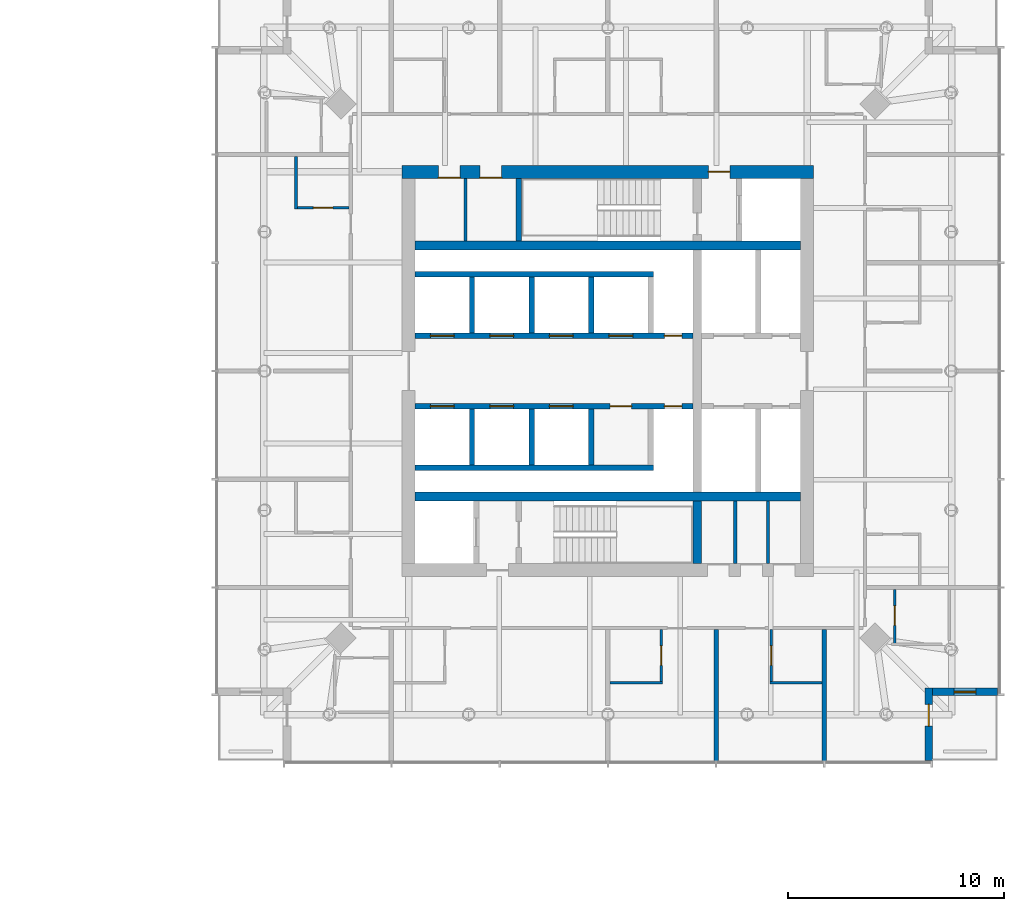
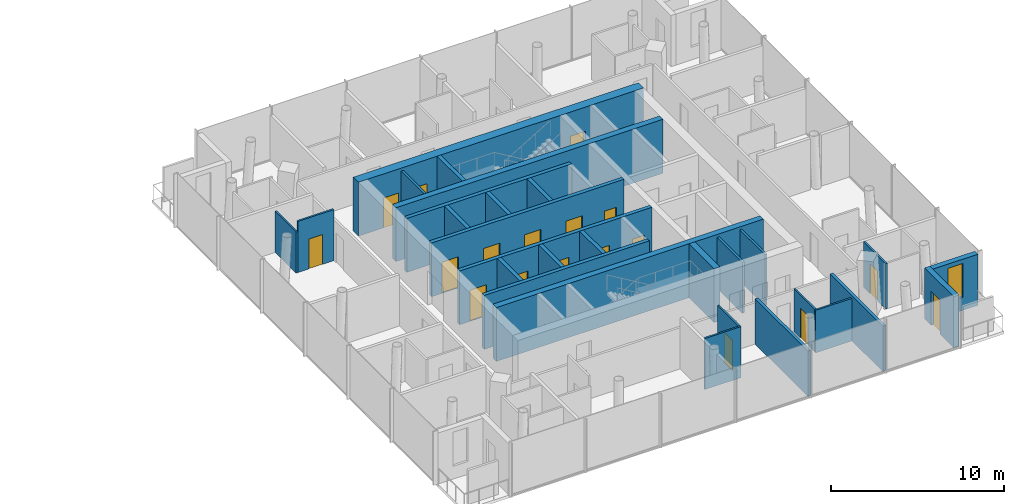
# One storey, part 13 of 18: 29 walls, 18 doors, 1 window, 19 openings.
"""IFC4 building model written with IfcOpenShell, lengths in metres."""

from ifc_helpers import new_model, si_unit, direction, frame, frame_2d, origin, place, context, subcontext, project, spatial, rectangle, extrude, material, layer, layer_set, type_object, element, fill, save


model = new_model("IFC4")

# Units and contexts
model_context = context("Model", 3, precision=1e-05, world=origin(), true_north=direction((0.0, 1.0)))
body_context = subcontext(model_context, "Body", "Model", "MODEL_VIEW")
ifc_project = project(units=[si_unit("LENGTHUNIT", "METRE"), si_unit("AREAUNIT", "SQUARE_METRE"), si_unit("VOLUMEUNIT", "CUBIC_METRE"), si_unit("PLANEANGLEUNIT", "RADIAN"), si_unit("MASSUNIT", "GRAM", prefix="KILO")], contexts=[model_context])

# Site, building, storey
site_placement = place(None, origin())
site = spatial("IfcSite", under=ifc_project, at=site_placement, CompositionType="ELEMENT")
building_placement = place(site_placement, origin())
building = spatial("IfcBuilding", under=site, at=building_placement, Name="Ostroluk Exchange", CompositionType="ELEMENT")
storey_placement = place(building_placement, frame((0.0, 0.0, 93.199951171875)))
storey = spatial("IfcBuildingStorey", under=building, at=storey_placement, Name="L23", CompositionType="ELEMENT", Elevation=93.199951171875)

# Walls
ifc_material_1 = material(Name="Concrete blockwork", Category="masonry")
ifc_layer_1 = layer(ifc_material_1, 0.14990234375)
ifc_layer_set_1 = layer_set([ifc_layer_1], Name="Blockwork plant room wall 150")
wall_type_1 = type_object("IfcWallType", Name="Blockwork plant room wall 150", PredefinedType="SOLIDWALL", material=ifc_layer_set_1)
for number, where, z_axis, x_axis, name in (
    (1, (122.8837890625, 37.10009765625, 0.0), (0.0, 0.0, 1.0), (0.0, 1.0, 0.0), "Core room wall"),
    (2, (124.391845703125, 37.10009765625, 0.0), (0.0, 0.0, 1.0), (0.0, 1.0, 0.0), "Core room wall"),
    (3, (110.425048828125, 52.0, 0.0), (0.0, 0.0, 1.0), (0.0, 1.0, 0.0), "Core room wall"),
):
    element("IfcWall", number, at=place(storey_placement, frame(where, z_axis=z_axis, x_axis=x_axis)), inside=storey, type_object=wall_type_1, Name=name, PredefinedType="SOLIDWALL", context=body_context, shape_type="SweptSolid", body=[
        extrude(rectangle(XDim=2.89990234375, YDim=0.14990234375, at=frame_2d((1.449951171875, 0.0))), origin(), (0.0, 0.0, 1.0), 3.60009765625),
    ])
ifc_material_2 = material(Name="Concrete C50/60", Category="concrete")
ifc_layer_2 = layer(ifc_material_2, 0.39990234375)
ifc_layer_set_2 = layer_set([ifc_layer_2], Name="Core cross wall 400 C50/60")
wall_type_2 = type_object("IfcWallType", Name="Core cross wall 400 C50/60", PredefinedType="SHEAR", material=ifc_layer_set_2)
for number, where, z_axis, x_axis, name in (
    (4, (108.10009765625, 40.199951171875, 0.0), (0.0, 0.0, 1.0), (1.0, 0.0, 0.0), "T2 core wall XS"),
    (5, (108.10009765625, 51.800048828125, 0.0), (0.0, 0.0, 1.0), (1.0, 0.0, 0.0), "T2 core wall XN"),
):
    element("IfcWall", number, at=place(storey_placement, frame(where, z_axis=z_axis, x_axis=x_axis)), inside=storey, type_object=wall_type_2, Name=name, PredefinedType="SHEAR", context=body_context, shape_type="SweptSolid", body=[
        extrude(rectangle(XDim=17.7998046875, YDim=0.39990234375, at=frame_2d((8.89990234375, 0.0))), origin(), (0.0, 0.0, 1.0), 3.800048828125),
    ])
wall_1_placement = place(storey_placement, frame((121.1298828125, 37.10009765625, 0.0), z_axis=(0.0, 0.0, 1.0), x_axis=(0.0, 1.0, 0.0)))
element("IfcWall", 6, at=wall_1_placement, inside=storey, type_object=wall_type_2, Name="T2 core wall YE1", PredefinedType="SHEAR", context=body_context, shape_type="SweptSolid", body=[
    extrude(rectangle(XDim=2.89990234375, YDim=0.39990234375, at=frame_2d((1.449951171875, 0.0))), origin(), (0.0, 0.0, 1.0), 3.800048828125),
])
ifc_material_3 = material(Name="Concrete C40/50", Category="concrete")
ifc_layer_3 = layer(ifc_material_3, 0.25)
ifc_layer_set_3 = layer_set([ifc_layer_3], Name="Core shaft wall 250")
wall_type_3 = type_object("IfcWallType", Name="Core shaft wall 250", PredefinedType="SHEAR", material=ifc_layer_set_3)
wall_2_placement = place(storey_placement, frame((112.875, 52.0, 0.0), z_axis=(0.0, 0.0, 1.0), x_axis=(0.0, 1.0, 0.0)))
element("IfcWall", 7, at=wall_2_placement, inside=storey, type_object=wall_type_3, Name="Stair shaft wall", PredefinedType="SHEAR", context=body_context, shape_type="SweptSolid", body=[
    extrude(rectangle(XDim=2.89990234375, YDim=0.25, at=frame_2d((1.449951171875, 0.0))), origin(), (0.0, 0.0, 1.0), 3.800048828125),
])
for number, where, z_axis, x_axis, name in (
    (8, (110.72509765625, 47.75, 0.0), (0.0, 0.0, 1.0), (0.0, 1.0, 0.0), "Lift shaft wall"),
    (9, (113.47509765625, 47.75, 0.0), (0.0, 0.0, 1.0), (0.0, 1.0, 0.0), "Lift shaft wall"),
    (10, (116.22509765625, 47.75, 0.0), (0.0, 0.0, 1.0), (0.0, 1.0, 0.0), "Lift shaft wall"),
):
    element("IfcWall", number, at=place(storey_placement, frame(where, z_axis=z_axis, x_axis=x_axis)), inside=storey, type_object=wall_type_3, Name=name, PredefinedType="SHEAR", context=body_context, shape_type="SweptSolid", body=[
        extrude(rectangle(XDim=2.60009765625, YDim=0.25, at=frame_2d((1.300048828125, 0.0))), origin(), (0.0, 0.0, 1.0), 3.800048828125),
    ])
wall_3_placement = place(storey_placement, frame((108.10009765625, 50.47509765625, 0.0), z_axis=(0.0, 0.0, 1.0), x_axis=(1.0, 0.0, 0.0)))
element("IfcWall", 11, at=wall_3_placement, inside=storey, type_object=wall_type_3, Name="Lift shaft wall", PredefinedType="SHEAR", context=body_context, shape_type="SweptSolid", body=[
    extrude(rectangle(XDim=11.0, YDim=0.25, at=frame_2d((5.5, 0.0))), origin(), (0.0, 0.0, 1.0), 3.800048828125),
])

# Wall, openings, doors
wall_4_placement = place(storey_placement, frame((108.10009765625, 47.625, 0.0), z_axis=(0.0, 0.0, 1.0), x_axis=(1.0, 0.0, 0.0)))
wall_4 = element("IfcWall", 12, at=wall_4_placement, inside=storey, type_object=wall_type_3, Name="Lift shaft front wall", PredefinedType="SHEAR", context=body_context, shape_type="SweptSolid", body=[
    extrude(rectangle(XDim=12.829833984375, YDim=0.25, at=frame_2d((6.4150390625, 0.0))), origin(), (0.0, 0.0, 1.0), 3.800048828125),
])
opening_1_placement = place(wall_4_placement, frame((0.699951171875, 0.0, 0.0)))
opening_1 = element("IfcOpeningElement", 13, at=opening_1_placement, cuts=wall_4, Name="Opening LD", PredefinedType="OPENING", context=body_context, shape_type="SweptSolid", body=[
    extrude(rectangle(XDim=1.10009765625, YDim=2.199951171875, at=frame_2d((0.550048828125, 1.10009765625))), frame((0.0, 0.135009765625, 0.0), z_axis=(0.0, -1.0, 0.0), x_axis=(1.0, 0.0, 0.0)), (0.0, 0.0, 1.0), 0.27001953125),
])
opening_2_placement = place(wall_4_placement, frame((3.449951171875, 0.0, 0.0)))
opening_2 = element("IfcOpeningElement", 14, at=opening_2_placement, cuts=wall_4, Name="Opening LD", PredefinedType="OPENING", context=body_context, shape_type="SweptSolid", body=[
    extrude(rectangle(XDim=1.10009765625, YDim=2.199951171875, at=frame_2d((0.550048828125, 1.10009765625))), frame((0.0, 0.135009765625, 0.0), z_axis=(0.0, -1.0, 0.0), x_axis=(1.0, 0.0, 0.0)), (0.0, 0.0, 1.0), 0.27001953125),
])
opening_3_placement = place(wall_4_placement, frame((6.199951171875, 0.0, 0.0)))
opening_3 = element("IfcOpeningElement", 15, at=opening_3_placement, cuts=wall_4, Name="Opening LD", PredefinedType="OPENING", context=body_context, shape_type="SweptSolid", body=[
    extrude(rectangle(XDim=1.10009765625, YDim=2.199951171875, at=frame_2d((0.550048828125, 1.10009765625))), frame((0.0, 0.135009765625, 0.0), z_axis=(0.0, -1.0, 0.0), x_axis=(1.0, 0.0, 0.0)), (0.0, 0.0, 1.0), 0.27001953125),
])
opening_4_placement = place(wall_4_placement, frame((8.949951171875, 0.0, 0.0)))
opening_4 = element("IfcOpeningElement", 16, at=opening_4_placement, cuts=wall_4, Name="Opening LD", PredefinedType="OPENING", context=body_context, shape_type="SweptSolid", body=[
    extrude(rectangle(XDim=1.10009765625, YDim=2.199951171875, at=frame_2d((0.550048828125, 1.10009765625))), frame((0.0, 0.135009765625, 0.0), z_axis=(0.0, -1.0, 0.0), x_axis=(1.0, 0.0, 0.0)), (0.0, 0.0, 1.0), 0.27001953125),
])
opening_5_placement = place(wall_4_placement, frame((11.514892578125, 0.0, 0.0)))
opening_5 = element("IfcOpeningElement", 17, at=opening_5_placement, cuts=wall_4, Name="Opening RD60", PredefinedType="OPENING", context=body_context, shape_type="SweptSolid", body=[
    extrude(rectangle(XDim=0.800048828125, YDim=2.0, at=frame_2d((0.39990234375, 1.0))), frame((0.0, 0.135009765625, 0.0), z_axis=(0.0, -1.0, 0.0), x_axis=(1.0, 0.0, 0.0)), (0.0, 0.0, 1.0), 0.27001953125),
])
ifc_material_4 = material(Name="Stainless steel", Category="steel")
door_type_1 = type_object("IfcDoorType", Name="Lift landing door E 60 1100 x 2200", OperationType="DOUBLE_DOOR_SLIDING", PredefinedType="DOOR", material=ifc_material_4)
door_1_placement = place(opening_1_placement, origin())
door_1 = element("IfcDoor", 18, at=door_1_placement, inside=storey, type_object=door_type_1, Name="Lift HL1 landing door", OperationType="DOUBLE_DOOR_SLIDING", OverallHeight=2.199951171875, OverallWidth=1.10009765625, PredefinedType="DOOR", context=body_context, shape_type="SweptSolid", body=[
    extrude(rectangle(XDim=1.10009765625, YDim=2.199951171875, at=frame_2d((0.550048828125, 1.10009765625))), frame((0.0, 0.02490234375, 0.0), z_axis=(0.0, -1.0, 0.0), x_axis=(1.0, 0.0, 0.0)), (0.0, 0.0, 1.0), 0.050048828125),
])
fill(opening_1, door_1)
door_2_placement = place(opening_2_placement, origin())
door_2 = element("IfcDoor", 19, at=door_2_placement, inside=storey, type_object=door_type_1, Name="Lift HL2 landing door", OperationType="DOUBLE_DOOR_SLIDING", OverallHeight=2.199951171875, OverallWidth=1.10009765625, PredefinedType="DOOR", context=body_context, shape_type="SweptSolid", body=[
    extrude(rectangle(XDim=1.10009765625, YDim=2.199951171875, at=frame_2d((0.550048828125, 1.10009765625))), frame((0.0, 0.02490234375, 0.0), z_axis=(0.0, -1.0, 0.0), x_axis=(1.0, 0.0, 0.0)), (0.0, 0.0, 1.0), 0.050048828125),
])
fill(opening_2, door_2)
door_3_placement = place(opening_3_placement, origin())
door_3 = element("IfcDoor", 20, at=door_3_placement, inside=storey, type_object=door_type_1, Name="Lift HL3 landing door", OperationType="DOUBLE_DOOR_SLIDING", OverallHeight=2.199951171875, OverallWidth=1.10009765625, PredefinedType="DOOR", context=body_context, shape_type="SweptSolid", body=[
    extrude(rectangle(XDim=1.10009765625, YDim=2.199951171875, at=frame_2d((0.550048828125, 1.10009765625))), frame((0.0, 0.02490234375, 0.0), z_axis=(0.0, -1.0, 0.0), x_axis=(1.0, 0.0, 0.0)), (0.0, 0.0, 1.0), 0.050048828125),
])
fill(opening_3, door_3)
door_4_placement = place(opening_4_placement, origin())
door_4 = element("IfcDoor", 21, at=door_4_placement, inside=storey, type_object=door_type_1, Name="Lift HL4 landing door", OperationType="DOUBLE_DOOR_SLIDING", OverallHeight=2.199951171875, OverallWidth=1.10009765625, PredefinedType="DOOR", context=body_context, shape_type="SweptSolid", body=[
    extrude(rectangle(XDim=1.10009765625, YDim=2.199951171875, at=frame_2d((0.550048828125, 1.10009765625))), frame((0.0, 0.02490234375, 0.0), z_axis=(0.0, -1.0, 0.0), x_axis=(1.0, 0.0, 0.0)), (0.0, 0.0, 1.0), 0.050048828125),
])
fill(opening_4, door_4)
ifc_material_5 = material(Name="Steel", Category="steel")
door_type_2 = type_object("IfcDoorType", Name="Riser access door EI 60 800 x 2000", OperationType="SINGLE_SWING_LEFT", PredefinedType="DOOR", material=ifc_material_5)
door_5_placement = place(opening_5_placement, origin())
door_5 = element("IfcDoor", 22, at=door_5_placement, inside=storey, type_object=door_type_2, Name="Riser access door", OperationType="SINGLE_SWING_RIGHT", OverallHeight=2.0, OverallWidth=0.800048828125, PredefinedType="DOOR", context=body_context, shape_type="SweptSolid", body=[
    extrude(rectangle(XDim=0.800048828125, YDim=2.0, at=frame_2d((0.39990234375, 1.0))), frame((0.0, 0.02490234375, 0.0), z_axis=(0.0, -1.0, 0.0), x_axis=(1.0, 0.0, 0.0)), (0.0, 0.0, 1.0), 0.050048828125),
])
fill(opening_5, door_5)

# Walls
for number, where, z_axis, x_axis, name in (
    (23, (110.72509765625, 44.25, 0.0), (0.0, 0.0, 1.0), (0.0, -1.0, 0.0), "Lift shaft wall"),
    (24, (113.47509765625, 44.25, 0.0), (0.0, 0.0, 1.0), (0.0, -1.0, 0.0), "Lift shaft wall"),
    (25, (116.22509765625, 44.25, 0.0), (0.0, 0.0, 1.0), (0.0, -1.0, 0.0), "Lift shaft wall"),
):
    element("IfcWall", number, at=place(storey_placement, frame(where, z_axis=z_axis, x_axis=x_axis)), inside=storey, type_object=wall_type_3, Name=name, PredefinedType="SHEAR", context=body_context, shape_type="SweptSolid", body=[
        extrude(rectangle(XDim=2.60009765625, YDim=0.25, at=frame_2d((1.300048828125, 0.0))), origin(), (0.0, 0.0, 1.0), 3.800048828125),
    ])
wall_5_placement = place(storey_placement, frame((108.10009765625, 41.52490234375, 0.0), z_axis=(0.0, 0.0, 1.0), x_axis=(1.0, 0.0, 0.0)))
element("IfcWall", 26, at=wall_5_placement, inside=storey, type_object=wall_type_3, Name="Lift shaft wall", PredefinedType="SHEAR", context=body_context, shape_type="SweptSolid", body=[
    extrude(rectangle(XDim=11.0, YDim=0.25, at=frame_2d((5.5, 0.0))), origin(), (0.0, 0.0, 1.0), 3.800048828125),
])

# Wall, openings, doors
wall_6_placement = place(storey_placement, frame((108.10009765625, 44.375, 0.0), z_axis=(0.0, 0.0, 1.0), x_axis=(1.0, 0.0, 0.0)))
wall_6 = element("IfcWall", 27, at=wall_6_placement, inside=storey, type_object=wall_type_3, Name="Lift shaft front wall", PredefinedType="SHEAR", context=body_context, shape_type="SweptSolid", body=[
    extrude(rectangle(XDim=12.829833984375, YDim=0.25, at=frame_2d((6.4150390625, 0.0))), origin(), (0.0, 0.0, 1.0), 3.800048828125),
])
opening_6_placement = place(wall_6_placement, frame((0.699951171875, 0.0, 0.0)))
opening_6 = element("IfcOpeningElement", 28, at=opening_6_placement, cuts=wall_6, Name="Opening LD", PredefinedType="OPENING", context=body_context, shape_type="SweptSolid", body=[
    extrude(rectangle(XDim=1.10009765625, YDim=2.199951171875, at=frame_2d((0.550048828125, 1.10009765625))), frame((0.0, 0.135009765625, 0.0), z_axis=(0.0, -1.0, 0.0), x_axis=(1.0, 0.0, 0.0)), (0.0, 0.0, 1.0), 0.27001953125),
])
opening_7_placement = place(wall_6_placement, frame((3.449951171875, 0.0, 0.0)))
opening_7 = element("IfcOpeningElement", 29, at=opening_7_placement, cuts=wall_6, Name="Opening LD", PredefinedType="OPENING", context=body_context, shape_type="SweptSolid", body=[
    extrude(rectangle(XDim=1.10009765625, YDim=2.199951171875, at=frame_2d((0.550048828125, 1.10009765625))), frame((0.0, 0.135009765625, 0.0), z_axis=(0.0, -1.0, 0.0), x_axis=(1.0, 0.0, 0.0)), (0.0, 0.0, 1.0), 0.27001953125),
])
opening_8_placement = place(wall_6_placement, frame((6.199951171875, 0.0, 0.0)))
opening_8 = element("IfcOpeningElement", 30, at=opening_8_placement, cuts=wall_6, Name="Opening LD", PredefinedType="OPENING", context=body_context, shape_type="SweptSolid", body=[
    extrude(rectangle(XDim=1.10009765625, YDim=2.199951171875, at=frame_2d((0.550048828125, 1.10009765625))), frame((0.0, 0.135009765625, 0.0), z_axis=(0.0, -1.0, 0.0), x_axis=(1.0, 0.0, 0.0)), (0.0, 0.0, 1.0), 0.27001953125),
])
opening_9_placement = place(wall_6_placement, frame((9.0, 0.0, 0.0)))
opening_9 = element("IfcOpeningElement", 31, at=opening_9_placement, cuts=wall_6, Name="Opening FD60", PredefinedType="OPENING", context=body_context, shape_type="SweptSolid", body=[
    extrude(rectangle(XDim=1.0, YDim=2.10009765625, at=frame_2d((0.5, 1.050048828125))), frame((0.0, 0.135009765625, 0.0), z_axis=(0.0, -1.0, 0.0), x_axis=(1.0, 0.0, 0.0)), (0.0, 0.0, 1.0), 0.27001953125),
])
opening_10_placement = place(wall_6_placement, frame((11.514892578125, 0.0, 0.0)))
opening_10 = element("IfcOpeningElement", 32, at=opening_10_placement, cuts=wall_6, Name="Opening RD60", PredefinedType="OPENING", context=body_context, shape_type="SweptSolid", body=[
    extrude(rectangle(XDim=0.800048828125, YDim=2.0, at=frame_2d((0.39990234375, 1.0))), frame((0.0, 0.135009765625, 0.0), z_axis=(0.0, -1.0, 0.0), x_axis=(1.0, 0.0, 0.0)), (0.0, 0.0, 1.0), 0.27001953125),
])
ifc_material_6 = material(Name="Steel", Category="steel")
door_type_3 = type_object("IfcDoorType", Name="Fire door EI 60 1000 x 2100", OperationType="SINGLE_SWING_LEFT", PredefinedType="DOOR", material=ifc_material_6)
door_6_placement = place(opening_9_placement, origin())
door_6 = element("IfcDoor", 33, at=door_6_placement, inside=storey, type_object=door_type_3, Name="Core room door", OperationType="SINGLE_SWING_RIGHT", OverallHeight=2.10009765625, OverallWidth=1.0, PredefinedType="DOOR", context=body_context, shape_type="SweptSolid", body=[
    extrude(rectangle(XDim=1.0, YDim=2.10009765625, at=frame_2d((0.5, 1.050048828125))), frame((0.0, 0.02490234375, 0.0), z_axis=(0.0, -1.0, 0.0), x_axis=(1.0, 0.0, 0.0)), (0.0, 0.0, 1.0), 0.050048828125),
])
fill(opening_9, door_6)
door_7_placement = place(opening_6_placement, origin())
door_7 = element("IfcDoor", 34, at=door_7_placement, inside=storey, type_object=door_type_1, Name="Lift HL5 landing door", OperationType="DOUBLE_DOOR_SLIDING", OverallHeight=2.199951171875, OverallWidth=1.10009765625, PredefinedType="DOOR", context=body_context, shape_type="SweptSolid", body=[
    extrude(rectangle(XDim=1.10009765625, YDim=2.199951171875, at=frame_2d((0.550048828125, 1.10009765625))), frame((0.0, 0.02490234375, 0.0), z_axis=(0.0, -1.0, 0.0), x_axis=(1.0, 0.0, 0.0)), (0.0, 0.0, 1.0), 0.050048828125),
])
fill(opening_6, door_7)
door_8_placement = place(opening_7_placement, origin())
door_8 = element("IfcDoor", 35, at=door_8_placement, inside=storey, type_object=door_type_1, Name="Lift HL6 landing door", OperationType="DOUBLE_DOOR_SLIDING", OverallHeight=2.199951171875, OverallWidth=1.10009765625, PredefinedType="DOOR", context=body_context, shape_type="SweptSolid", body=[
    extrude(rectangle(XDim=1.10009765625, YDim=2.199951171875, at=frame_2d((0.550048828125, 1.10009765625))), frame((0.0, 0.02490234375, 0.0), z_axis=(0.0, -1.0, 0.0), x_axis=(1.0, 0.0, 0.0)), (0.0, 0.0, 1.0), 0.050048828125),
])
fill(opening_7, door_8)
door_9_placement = place(opening_8_placement, origin())
door_9 = element("IfcDoor", 36, at=door_9_placement, inside=storey, type_object=door_type_1, Name="Lift HL7 landing door", OperationType="DOUBLE_DOOR_SLIDING", OverallHeight=2.199951171875, OverallWidth=1.10009765625, PredefinedType="DOOR", context=body_context, shape_type="SweptSolid", body=[
    extrude(rectangle(XDim=1.10009765625, YDim=2.199951171875, at=frame_2d((0.550048828125, 1.10009765625))), frame((0.0, 0.02490234375, 0.0), z_axis=(0.0, -1.0, 0.0), x_axis=(1.0, 0.0, 0.0)), (0.0, 0.0, 1.0), 0.050048828125),
])
fill(opening_8, door_9)
door_10_placement = place(opening_10_placement, origin())
door_10 = element("IfcDoor", 37, at=door_10_placement, inside=storey, type_object=door_type_2, Name="Riser access door", OperationType="SINGLE_SWING_RIGHT", OverallHeight=2.0, OverallWidth=0.800048828125, PredefinedType="DOOR", context=body_context, shape_type="SweptSolid", body=[
    extrude(rectangle(XDim=0.800048828125, YDim=2.0, at=frame_2d((0.39990234375, 1.0))), frame((0.0, 0.02490234375, 0.0), z_axis=(0.0, -1.0, 0.0), x_axis=(1.0, 0.0, 0.0)), (0.0, 0.0, 1.0), 0.050048828125),
])
fill(opening_10, door_10)

ifc_material_7 = material(Name="Concrete C50/60", Category="concrete")
ifc_layer_4 = layer(ifc_material_7, 0.60009765625)
ifc_layer_set_4 = layer_set([ifc_layer_4], Name="Core wall 600 C50/60")
wall_type_4 = type_object("IfcWallType", Name="Core wall 600 C50/60", PredefinedType="SHEAR", material=ifc_layer_set_4)
wall_7_placement = place(storey_placement, frame((107.5, 55.199951171875, 0.0), z_axis=(0.0, 0.0, 1.0), x_axis=(1.0, 0.0, 0.0)))
wall_7 = element("IfcWall", 38, at=wall_7_placement, inside=storey, type_object=wall_type_4, Name="T2 core wall N", PredefinedType="SHEAR", context=body_context, shape_type="SweptSolid", body=[
    extrude(rectangle(XDim=19.0, YDim=0.60009765625, at=frame_2d((9.5, 0.0))), origin(), (0.0, 0.0, 1.0), 3.800048828125),
])
opening_11_placement = place(wall_7_placement, frame((14.139892578125, 0.0, 0.0)))
opening_11 = element("IfcOpeningElement", 39, at=opening_11_placement, cuts=wall_7, Name="Opening FD60", PredefinedType="OPENING", context=body_context, shape_type="SweptSolid", body=[
    extrude(rectangle(XDim=1.0, YDim=2.10009765625, at=frame_2d((0.5, 1.050048828125))), frame((0.0, 0.31005859375, 0.0), z_axis=(0.0, -1.0, 0.0), x_axis=(1.0, 0.0, 0.0)), (0.0, 0.0, 1.0), 0.6201171875),
])
opening_12_placement = place(wall_7_placement, frame((1.675048828125, 0.0, 0.0)))
opening_12 = element("IfcOpeningElement", 40, at=opening_12_placement, cuts=wall_7, Name="Opening FD60", PredefinedType="OPENING", context=body_context, shape_type="SweptSolid", body=[
    extrude(rectangle(XDim=1.0, YDim=2.10009765625, at=frame_2d((0.5, 1.050048828125))), frame((0.0, 0.31005859375, 0.0), z_axis=(0.0, -1.0, 0.0), x_axis=(1.0, 0.0, 0.0)), (0.0, 0.0, 1.0), 0.6201171875),
])
opening_13_placement = place(wall_7_placement, frame((3.58740234375, 0.0, 0.0)))
opening_13 = element("IfcOpeningElement", 41, at=opening_13_placement, cuts=wall_7, Name="Opening FD60", PredefinedType="OPENING", context=body_context, shape_type="SweptSolid", body=[
    extrude(rectangle(XDim=1.0, YDim=2.10009765625, at=frame_2d((0.5, 1.050048828125))), frame((0.0, 0.31005859375, 0.0), z_axis=(0.0, -1.0, 0.0), x_axis=(1.0, 0.0, 0.0)), (0.0, 0.0, 1.0), 0.6201171875),
])
door_11_placement = place(opening_11_placement, origin())
door_11 = element("IfcDoor", 42, at=door_11_placement, inside=storey, type_object=door_type_3, Name="Firefighting lobby door", OperationType="SINGLE_SWING_RIGHT", OverallHeight=2.10009765625, OverallWidth=1.0, PredefinedType="DOOR", context=body_context, shape_type="SweptSolid", body=[
    extrude(rectangle(XDim=1.0, YDim=2.10009765625, at=frame_2d((0.5, 1.050048828125))), frame((0.0, 0.02490234375, 0.0), z_axis=(0.0, -1.0, 0.0), x_axis=(1.0, 0.0, 0.0)), (0.0, 0.0, 1.0), 0.050048828125),
])
fill(opening_11, door_11)
door_12_placement = place(opening_12_placement, origin())
door_12 = element("IfcDoor", 43, at=door_12_placement, inside=storey, type_object=door_type_3, Name="Ice and vending room door", OperationType="SINGLE_SWING_LEFT", OverallHeight=2.10009765625, OverallWidth=1.0, PredefinedType="DOOR", context=body_context, shape_type="SweptSolid", body=[
    extrude(rectangle(XDim=1.0, YDim=2.10009765625, at=frame_2d((0.5, 1.050048828125))), frame((0.0, -0.23974609375, 0.0), z_axis=(0.0, -1.0, 0.0), x_axis=(1.0, 0.0, 0.0)), (0.0, 0.0, 1.0), 0.050048828125),
])
fill(opening_12, door_12)
door_13_placement = place(opening_13_placement, origin())
door_13 = element("IfcDoor", 44, at=door_13_placement, inside=storey, type_object=door_type_3, Name="Room-service pantry door", OperationType="SINGLE_SWING_LEFT", OverallHeight=2.10009765625, OverallWidth=1.0, PredefinedType="DOOR", context=body_context, shape_type="SweptSolid", body=[
    extrude(rectangle(XDim=1.0, YDim=2.10009765625, at=frame_2d((0.5, 1.050048828125))), frame((0.0, -0.23974609375, 0.0), z_axis=(0.0, -1.0, 0.0), x_axis=(1.0, 0.0, 0.0)), (0.0, 0.0, 1.0), 0.050048828125),
])
fill(opening_13, door_13)

# Wall, opening, door
ifc_material_8 = material(Name="Limestone", Category="masonry")
ifc_layer_5 = layer(ifc_material_8, 0.35009765625)
ifc_layer_set_5 = layer_set([ifc_layer_5], Name="Limestone facade wall 350")
wall_type_5 = type_object("IfcWallType", Name="Limestone facade wall 350", PredefinedType="SOLIDWALL", material=ifc_layer_set_5)
wall_8_placement = place(storey_placement, frame((131.824951171875, 28.0, 0.0), z_axis=(0.0, 0.0, 1.0), x_axis=(0.0, 1.0, 0.0)))
wall_8 = element("IfcWall", 45, at=wall_8_placement, inside=storey, type_object=wall_type_5, Name="Hotel tower SE corner wall L23 a", PredefinedType="SOLIDWALL", context=body_context, shape_type="SweptSolid", body=[
    extrude(rectangle(XDim=3.35009765625, YDim=0.35009765625, at=frame_2d((1.675048828125, 0.0))), origin(), (0.0, 0.0, 1.0), 3.60009765625),
])
opening_14_placement = place(wall_8_placement, frame((1.60009765625, 0.0, 0.0)))
opening_14 = element("IfcOpeningElement", 46, at=opening_14_placement, cuts=wall_8, Name="Opening D-B1", PredefinedType="OPENING", context=body_context, shape_type="SweptSolid", body=[
    extrude(rectangle(XDim=1.0, YDim=2.39990234375, at=frame_2d((0.5, 1.199951171875))), frame((0.0, 0.18505859375, 0.0), z_axis=(0.0, -1.0, 0.0), x_axis=(1.0, 0.0, 0.0)), (0.0, 0.0, 1.0), 0.3701171875),
])
ifc_material_9 = material(Name="Bronze framed glazed door", Category="aluminium")
door_type_4 = type_object("IfcDoorType", Name="Balcony door 1000 x 2400", OperationType="SINGLE_SWING_LEFT", PredefinedType="DOOR", material=ifc_material_9)
door_14_placement = place(opening_14_placement, origin())
door_14 = element("IfcDoor", 47, at=door_14_placement, inside=storey, type_object=door_type_4, Name="Hotel tower SE balcony door L23", OperationType="SINGLE_SWING_RIGHT", OverallHeight=2.39990234375, OverallWidth=1.0, PredefinedType="DOOR", context=body_context, shape_type="SweptSolid", body=[
    extrude(rectangle(XDim=1.0, YDim=2.39990234375, at=frame_2d((0.5, 1.199951171875))), frame((0.0, 0.02490234375, 0.0), z_axis=(0.0, -1.0, 0.0), x_axis=(1.0, 0.0, 0.0)), (0.0, 0.0, 1.0), 0.050048828125),
])
fill(opening_14, door_14)

# Wall, opening, window
wall_9_placement = place(storey_placement, frame((132.0, 31.175048828125, 0.0), z_axis=(0.0, 0.0, 1.0), x_axis=(1.0, 0.0, 0.0)))
wall_9 = element("IfcWall", 48, at=wall_9_placement, inside=storey, type_object=wall_type_5, Name="Hotel tower SE corner wall L23 b", PredefinedType="SOLIDWALL", context=body_context, shape_type="SweptSolid", body=[
    extrude(rectangle(XDim=3.0, YDim=0.35009765625, at=frame_2d((1.5, 0.0))), origin(), (0.0, 0.0, 1.0), 3.60009765625),
])
opening_15_placement = place(wall_9_placement, frame((1.0, 0.0, 0.89990234375)))
opening_15 = element("IfcOpeningElement", 49, at=opening_15_placement, cuts=wall_9, Name="Opening WN-L3", PredefinedType="OPENING", context=body_context, shape_type="SweptSolid", body=[
    extrude(rectangle(XDim=1.0, YDim=2.39990234375, at=frame_2d((0.5, 1.199951171875))), frame((0.0, 0.18505859375, 0.0), z_axis=(0.0, -1.0, 0.0), x_axis=(1.0, 0.0, 0.0)), (0.0, 0.0, 1.0), 0.3701171875),
])
ifc_material_10 = material(Name="Laminated clear glass", Category="glass")
window_type = type_object("IfcWindowType", Name="Hotel lancet window 1000 x 2400", PartitioningType="SINGLE_PANEL", PredefinedType="WINDOW", material=ifc_material_10)
window_placement = place(opening_15_placement, origin())
window = element("IfcWindow", 50, at=window_placement, inside=storey, type_object=window_type, Name="Hotel tower SE lancet window L23", OverallHeight=2.39990234375, OverallWidth=1.0, PartitioningType="SINGLE_PANEL", PredefinedType="WINDOW", context=body_context, shape_type="SweptSolid", body=[
    extrude(rectangle(XDim=1.0, YDim=2.39990234375, at=frame_2d((0.5, 1.199951171875))), frame((0.0, 0.030029296875, 0.0), z_axis=(0.0, -1.0, 0.0), x_axis=(1.0, 0.0, 0.0)), (0.0, 0.0, 1.0), 0.06005859375),
])
fill(opening_15, window)

# Wall, opening, door
ifc_material_11 = material(Name="Gypsum plasterboard partition, moisture resistant", Category="gypsum")
ifc_layer_6 = layer(ifc_material_11, 0.1201171875)
ifc_layer_set_6 = layer_set([ifc_layer_6], Name="Plasterboard en-suite wall 120")
wall_type_6 = type_object("IfcWallType", Name="Plasterboard en-suite wall 120", PredefinedType="PARTITIONING", material=ifc_layer_set_6)
wall_10_placement = place(storey_placement, frame((130.25, 35.89990234375, 0.0), z_axis=(0.0, 0.0, 1.0), x_axis=(0.0, -1.0, 0.0)))
wall_10 = element("IfcWall", 51, at=wall_10_placement, inside=storey, type_object=wall_type_6, Name="En-suite wall", PredefinedType="PARTITIONING", context=body_context, shape_type="SweptSolid", body=[
    extrude(rectangle(XDim=2.579833984375, YDim=0.1201171875, at=frame_2d((1.2900390625, 0.0))), origin(), (0.0, 0.0, 1.0), 3.199951171875),
])
opening_16_placement = place(wall_10_placement, frame((0.75, 0.0, 0.0)))
opening_16 = element("IfcOpeningElement", 52, at=opening_16_placement, cuts=wall_10, Name="Opening D-02", PredefinedType="OPENING", context=body_context, shape_type="SweptSolid", body=[
    extrude(rectangle(XDim=0.89990234375, YDim=2.10009765625, at=frame_2d((0.449951171875, 1.050048828125))), frame((0.0, 0.070068359375, 0.0), z_axis=(0.0, -1.0, 0.0), x_axis=(1.0, 0.0, 0.0)), (0.0, 0.0, 1.0), 0.14013671875),
])
ifc_material_12 = material(Name="Timber", Category="wood")
door_type_5 = type_object("IfcDoorType", Name="En-suite door 900 x 2100", OperationType="SINGLE_SWING_LEFT", PredefinedType="DOOR", material=ifc_material_12)
door_15_placement = place(opening_16_placement, origin())
door_15 = element("IfcDoor", 53, at=door_15_placement, inside=storey, type_object=door_type_5, Name="En-suite door 2301", OperationType="SINGLE_SWING_LEFT", OverallHeight=2.10009765625, OverallWidth=0.89990234375, PredefinedType="DOOR", context=body_context, shape_type="SweptSolid", body=[
    extrude(rectangle(XDim=0.89990234375, YDim=2.10009765625, at=frame_2d((0.449951171875, 1.050048828125))), frame((0.0, 0.02490234375, 0.0), z_axis=(0.0, -1.0, 0.0), x_axis=(1.0, 0.0, 0.0)), (0.0, 0.0, 1.0), 0.050048828125),
])
fill(opening_16, door_15)

# Wall
wall_11_placement = place(storey_placement, frame((102.590087890625, 55.89990234375, 0.0), z_axis=(0.0, 0.0, 1.0), x_axis=(0.0, -1.0, 0.0)))
element("IfcWall", 54, at=wall_11_placement, inside=storey, type_object=wall_type_6, Name="En-suite wall", PredefinedType="PARTITIONING", context=body_context, shape_type="SweptSolid", body=[
    extrude(rectangle(XDim=2.419921875, YDim=0.1201171875, at=frame_2d((1.2099609375, 0.0))), origin(), (0.0, 0.0, 1.0), 2.900146484375),
])

# Wall, opening, door
wall_12_placement = place(storey_placement, frame((105.050048828125, 53.5400390625, 0.0), z_axis=(0.0, 0.0, 1.0), x_axis=(-1.0, 0.0, 0.0)))
wall_12 = element("IfcWall", 55, at=wall_12_placement, inside=storey, type_object=wall_type_6, Name="En-suite wall", PredefinedType="PARTITIONING", context=body_context, shape_type="SweptSolid", body=[
    extrude(rectangle(XDim=2.400146484375, YDim=0.1201171875, at=frame_2d((1.2001953125, 0.0))), origin(), (0.0, 0.0, 1.0), 3.60009765625),
])
opening_17_placement = place(wall_12_placement, frame((0.75, 0.0, 0.0)))
opening_17 = element("IfcOpeningElement", 56, at=opening_17_placement, cuts=wall_12, Name="Opening D-02", PredefinedType="OPENING", context=body_context, shape_type="SweptSolid", body=[
    extrude(rectangle(XDim=0.89990234375, YDim=2.10009765625, at=frame_2d((0.449951171875, 1.050048828125))), frame((0.0, 0.070068359375, 0.0), z_axis=(0.0, -1.0, 0.0), x_axis=(1.0, 0.0, 0.0)), (0.0, 0.0, 1.0), 0.14013671875),
])
door_16_placement = place(opening_17_placement, origin())
door_16 = element("IfcDoor", 57, at=door_16_placement, inside=storey, type_object=door_type_5, Name="En-suite door 2310", OperationType="SINGLE_SWING_RIGHT", OverallHeight=2.10009765625, OverallWidth=0.89990234375, PredefinedType="DOOR", context=body_context, shape_type="SweptSolid", body=[
    extrude(rectangle(XDim=0.89990234375, YDim=2.10009765625, at=frame_2d((0.449951171875, 1.050048828125))), frame((0.0, 0.02490234375, 0.0), z_axis=(0.0, -1.0, 0.0), x_axis=(1.0, 0.0, 0.0)), (0.0, 0.0, 1.0), 0.050048828125),
])
fill(opening_17, door_16)

# Wall
wall_13_placement = place(storey_placement, frame((117.10009765625, 31.590087890625, 0.0), z_axis=(0.0, 0.0, 1.0), x_axis=(1.0, 0.0, 0.0)))
element("IfcWall", 58, at=wall_13_placement, inside=storey, type_object=wall_type_6, Name="En-suite wall", PredefinedType="PARTITIONING", context=body_context, shape_type="SweptSolid", body=[
    extrude(rectangle(XDim=2.419921875, YDim=0.1201171875, at=frame_2d((1.2099609375, 0.0))), origin(), (0.0, 0.0, 1.0), 3.60009765625),
])

# Wall, opening, door
wall_14_placement = place(storey_placement, frame((119.4599609375, 34.050048828125, 0.0), z_axis=(0.0, 0.0, 1.0), x_axis=(0.0, -1.0, 0.0)))
wall_14 = element("IfcWall", 59, at=wall_14_placement, inside=storey, type_object=wall_type_6, Name="En-suite wall", PredefinedType="PARTITIONING", context=body_context, shape_type="SweptSolid", body=[
    extrude(rectangle(XDim=2.400146484375, YDim=0.1201171875, at=frame_2d((1.2001953125, 0.0))), origin(), (0.0, 0.0, 1.0), 3.60009765625),
])
opening_18_placement = place(wall_14_placement, frame((0.75, 0.0, 0.0)))
opening_18 = element("IfcOpeningElement", 60, at=opening_18_placement, cuts=wall_14, Name="Opening D-02", PredefinedType="OPENING", context=body_context, shape_type="SweptSolid", body=[
    extrude(rectangle(XDim=0.89990234375, YDim=2.10009765625, at=frame_2d((0.449951171875, 1.050048828125))), frame((0.0, 0.070068359375, 0.0), z_axis=(0.0, -1.0, 0.0), x_axis=(1.0, 0.0, 0.0)), (0.0, 0.0, 1.0), 0.14013671875),
])
door_17_placement = place(opening_18_placement, origin())
door_17 = element("IfcDoor", 61, at=door_17_placement, inside=storey, type_object=door_type_5, Name="En-suite door 2314", OperationType="SINGLE_SWING_RIGHT", OverallHeight=2.10009765625, OverallWidth=0.89990234375, PredefinedType="DOOR", context=body_context, shape_type="SweptSolid", body=[
    extrude(rectangle(XDim=0.89990234375, YDim=2.10009765625, at=frame_2d((0.449951171875, 1.050048828125))), frame((0.0, 0.02490234375, 0.0), z_axis=(0.0, -1.0, 0.0), x_axis=(1.0, 0.0, 0.0)), (0.0, 0.0, 1.0), 0.050048828125),
])
fill(opening_18, door_17)

# Wall
wall_15_placement = place(storey_placement, frame((124.47998046875, 31.590087890625, 0.0), z_axis=(0.0, 0.0, 1.0), x_axis=(1.0, 0.0, 0.0)))
element("IfcWall", 62, at=wall_15_placement, inside=storey, type_object=wall_type_6, Name="En-suite wall", PredefinedType="PARTITIONING", context=body_context, shape_type="SweptSolid", body=[
    extrude(rectangle(XDim=2.419921875, YDim=0.1201171875, at=frame_2d((1.2099609375, 0.0))), origin(), (0.0, 0.0, 1.0), 3.0),
])

# Wall, opening, door
wall_16_placement = place(storey_placement, frame((124.5400390625, 34.050048828125, 0.0), z_axis=(0.0, 0.0, 1.0), x_axis=(0.0, -1.0, 0.0)))
wall_16 = element("IfcWall", 63, at=wall_16_placement, inside=storey, type_object=wall_type_6, Name="En-suite wall", PredefinedType="PARTITIONING", context=body_context, shape_type="SweptSolid", body=[
    extrude(rectangle(XDim=2.400146484375, YDim=0.1201171875, at=frame_2d((1.2001953125, 0.0))), origin(), (0.0, 0.0, 1.0), 3.0),
])
opening_19_placement = place(wall_16_placement, frame((0.75, 0.0, 0.0)))
opening_19 = element("IfcOpeningElement", 64, at=opening_19_placement, cuts=wall_16, Name="Opening D-02", PredefinedType="OPENING", context=body_context, shape_type="SweptSolid", body=[
    extrude(rectangle(XDim=0.89990234375, YDim=2.10009765625, at=frame_2d((0.449951171875, 1.050048828125))), frame((0.0, 0.070068359375, 0.0), z_axis=(0.0, -1.0, 0.0), x_axis=(1.0, 0.0, 0.0)), (0.0, 0.0, 1.0), 0.14013671875),
])
door_18_placement = place(opening_19_placement, origin())
door_18 = element("IfcDoor", 65, at=door_18_placement, inside=storey, type_object=door_type_5, Name="En-suite door 2315", OperationType="SINGLE_SWING_RIGHT", OverallHeight=2.10009765625, OverallWidth=0.89990234375, PredefinedType="DOOR", context=body_context, shape_type="SweptSolid", body=[
    extrude(rectangle(XDim=0.89990234375, YDim=2.10009765625, at=frame_2d((0.449951171875, 1.050048828125))), frame((0.0, 0.02490234375, 0.0), z_axis=(0.0, -1.0, 0.0), x_axis=(1.0, 0.0, 0.0)), (0.0, 0.0, 1.0), 0.050048828125),
])
fill(opening_19, door_18)

# Walls
ifc_material_13 = material(Name="Gypsum plasterboard partition", Category="gypsum")
ifc_layer_7 = layer(ifc_material_13, 0.199951171875)
ifc_layer_set_7 = layer_set([ifc_layer_7], Name="Plasterboard party wall 200")
wall_type_7 = type_object("IfcWallType", Name="Plasterboard party wall 200", PredefinedType="PARTITIONING", material=ifc_layer_set_7)
for number, where, z_axis, x_axis, name in (
    (66, (122.0, 34.050048828125, 0.0), (0.0, 0.0, 1.0), (0.0, -1.0, 0.0), "Party wall"),
    (67, (127.0, 34.050048828125, 0.0), (0.0, 0.0, 1.0), (0.0, -1.0, 0.0), "Party wall"),
):
    element("IfcWall", number, at=place(storey_placement, frame(where, z_axis=z_axis, x_axis=x_axis)), inside=storey, type_object=wall_type_7, Name=name, PredefinedType="PARTITIONING", context=body_context, shape_type="SweptSolid", body=[
        extrude(rectangle(XDim=6.090087890625, YDim=0.199951171875, at=frame_2d((3.044921875, 0.0))), origin(), (0.0, 0.0, 1.0), 3.199951171875),
    ])

save(model, "model.ifc")
